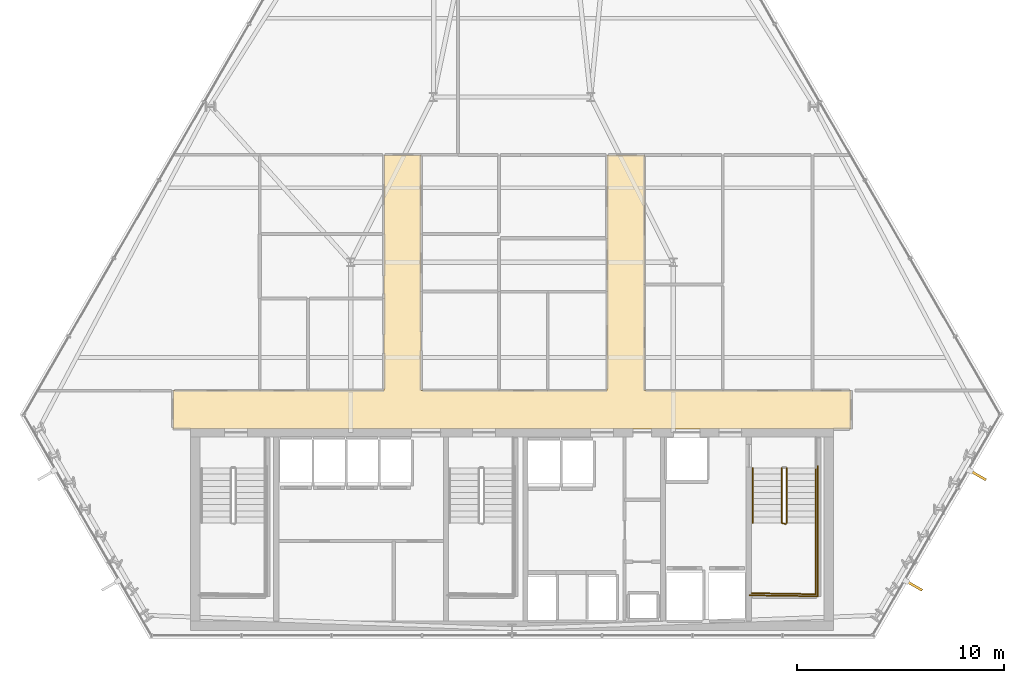
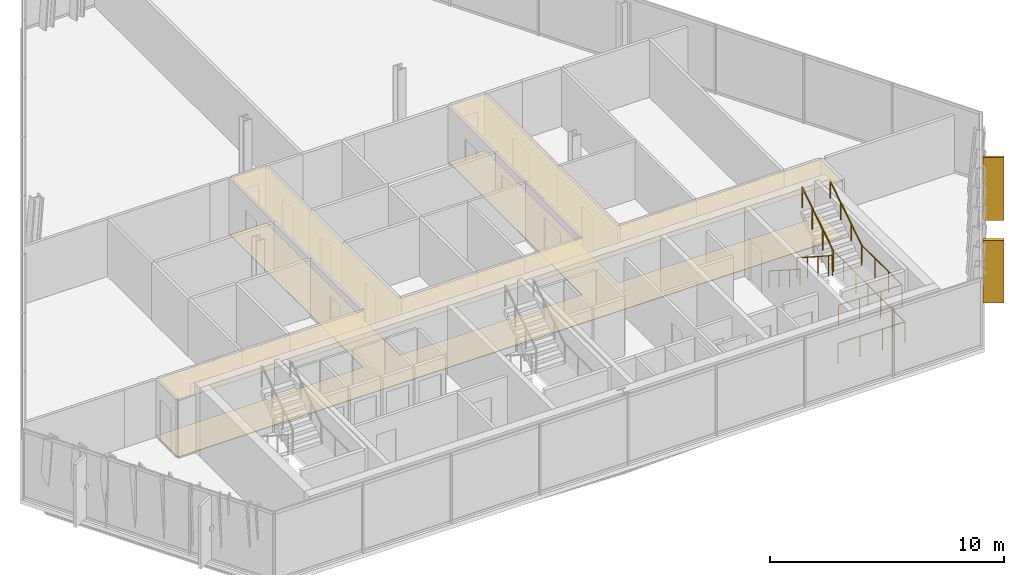
# One storey, part 30 of 32: 6 railings, 2 coverings, 2 shading devices.
"""IFC4 building model written with IfcOpenShell, lengths in metres."""

from ifc_helpers import new_model, si_unit, direction, frame, origin, origin_2d, place, context, subcontext, project, spatial, polyline, rectangle, circle, outline, extrude, material, layer, layer_set, type_object, element, save


model = new_model("IFC4")

# Units and contexts
model_context = context("Model", 3, precision=1e-05, world=origin(), true_north=direction((0.0, 1.0)))
body_context = subcontext(model_context, "Body", "Model", "MODEL_VIEW")
ifc_project = project(units=[si_unit("LENGTHUNIT", "METRE"), si_unit("AREAUNIT", "SQUARE_METRE"), si_unit("VOLUMEUNIT", "CUBIC_METRE"), si_unit("PLANEANGLEUNIT", "RADIAN"), si_unit("MASSUNIT", "GRAM", prefix="KILO")], contexts=[model_context])

# Site, building, storey
site_placement = place(None, origin())
site = spatial("IfcSite", under=ifc_project, at=site_placement, CompositionType="ELEMENT")
building_placement = place(site_placement, origin())
building = spatial("IfcBuilding", under=site, at=building_placement, Name="Ndaravel Arena Tower", CompositionType="ELEMENT")
storey_placement = place(building_placement, frame((0.0, 0.0, 134.60009765625)))
storey = spatial("IfcBuildingStorey", under=building, at=storey_placement, Name="L31", CompositionType="ELEMENT", Elevation=134.60009765625)

# Coverings
ifc_material_1 = material(Name="Acoustic Ceiling Tile", Category="finish")
ifc_layer_1 = layer(ifc_material_1, 0.02490234375)
ifc_layer_set_1 = layer_set([ifc_layer_1], Name="Acoustic Ceiling Tile")
covering_type_1 = type_object("IfcCoveringType", Name="COV-CEIL-AC600", PredefinedType="CEILING", material=ifc_layer_set_1)
covering_1_placement = place(storey_placement, frame((0.0, 0.0, 2.98046875)))
element("IfcCovering", 1, at=covering_1_placement, inside=storey, type_object=covering_type_1, Name="L31 Corridor Acoustic Ceiling", PredefinedType="CEILING", context=body_context, shape_type="SweptSolid", body=[
    extrude(outline(polyline([(58.39990234375, 17.0), (48.39990234375, 17.0), (48.39990234375, 28.39990234375), (46.60009765625, 28.39990234375), (46.60009765625, 17.0), (37.60009765625, 17.0), (37.60009765625, 28.39990234375), (35.800048828125, 28.39990234375), (35.800048828125, 17.0), (25.60009765625, 17.0), (25.60009765625, 15.14990234375), (58.39990234375, 15.14990234375), (58.39990234375, 17.0)])), origin(), (0.0, 0.0, 1.0), 0.02490234375),
])
ifc_material_2 = material(Name="Terrazzo", Category="stone")
ifc_layer_2 = layer(ifc_material_2, 0.030029296875)
ifc_layer_set_2 = layer_set([ifc_layer_2], Name="Terrazzo")
covering_type_2 = type_object("IfcCoveringType", Name="COV-FLOOR-TERRAZZO", PredefinedType="FLOORING", material=ifc_layer_set_2)
covering_2_placement = place(storey_placement, origin())
element("IfcCovering", 2, at=covering_2_placement, inside=storey, type_object=covering_type_2, Name="L31 Corridor Terrazzo Flooring", PredefinedType="FLOORING", context=body_context, shape_type="SweptSolid", body=[
    extrude(outline(polyline([(58.39990234375, 17.0), (48.39990234375, 17.0), (48.39990234375, 28.39990234375), (46.60009765625, 28.39990234375), (46.60009765625, 17.0), (37.60009765625, 17.0), (37.60009765625, 28.39990234375), (35.800048828125, 28.39990234375), (35.800048828125, 17.0), (25.60009765625, 17.0), (25.60009765625, 15.14990234375), (58.39990234375, 15.14990234375), (58.39990234375, 17.0)])), origin(), (0.0, 0.0, 1.0), 0.02978515625),
])

# Railings
ifc_material_3 = material(Name="Steel S355", Category="steel")
ifc_layer_3 = layer(ifc_material_3, 0.06005859375)
ifc_layer_set_3 = layer_set([ifc_layer_3], Name="Steel S355")
railing_type_1 = type_object("IfcRailingType", Name="RAIL-STAIR-GD1100", PredefinedType="GUARDRAIL", material=ifc_layer_set_3)
railing_1_placement = place(storey_placement, frame((55.050048828125, 13.25, 0.18994140625)))
element("IfcRailing", 3, at=railing_1_placement, inside=storey, type_object=railing_type_1, Name="L31 ST-3 stair guard 1", PredefinedType="GUARDRAIL", context=body_context, shape_type="SweptSolid", body=[
    extrude(circle(Radius=0.02392578125, at=origin_2d()), frame((0.0, 0.0, 1.076171875), z_axis=(0.0, -0.840723540582, 0.54146461409), x_axis=(1.0, 0.0, 0.0)), (0.0, 0.0, 1.0), 3.157958984375),
    extrude(circle(Radius=0.02392578125, at=origin_2d()), frame((0.0, -2.655029296875, 2.7861328125), z_axis=(0.966993988697, -0.254799187253, 0.0), x_axis=(0.254799187253, 0.966993988697, 0.0)), (0.0, 0.0, 1.0), 0.196533203125),
    extrude(circle(Radius=0.02099609375, at=origin_2d()), origin(), (0.0, 0.0, 1.0), 1.052001953125),
    extrude(circle(Radius=0.02099609375, at=origin_2d()), frame((0.0, -0.885009765625, 0.570068359375)), (0.0, 0.0, 1.0), 1.052001953125),
    extrude(circle(Radius=0.02099609375, at=origin_2d()), frame((0.0, -1.77001953125, 1.139892578125)), (0.0, 0.0, 1.0), 1.052001953125),
    extrude(circle(Radius=0.02099609375, at=origin_2d()), frame((0.0, -2.655029296875, 1.7099609375)), (0.0, 0.0, 1.0), 1.052001953125),
    extrude(circle(Radius=0.02099609375, at=origin_2d()), frame((0.18994140625, -2.705078125, 1.7099609375)), (0.0, 0.0, 1.0), 1.052001953125),
])
railing_2_placement = place(storey_placement, frame((56.68994140625, 10.594970703125, 1.89990234375)))
element("IfcRailing", 4, at=railing_2_placement, inside=storey, type_object=railing_type_1, Name="L31 ST-3 stair guard 2", PredefinedType="GUARDRAIL", context=body_context, shape_type="SweptSolid", body=[
    extrude(circle(Radius=0.02392578125, at=origin_2d()), frame((0.0, 0.0, 1.076171875), z_axis=(0.0, -1.0, 0.0), x_axis=(1.0, 0.0, 0.0)), (0.0, 0.0, 1.0), 3.445068359375),
    extrude(circle(Radius=0.02392578125, at=origin_2d()), frame((0.0, -3.445068359375, 1.076171875), z_axis=(-0.999868840623, 0.016195726322, 0.0), x_axis=(-0.016195726322, -0.999868840623, 0.0)), (0.0, 0.0, 1.0), 3.09033203125),
    extrude(circle(Radius=0.02099609375, at=origin_2d()), origin(), (0.0, 0.0, 1.0), 1.052001953125),
    extrude(circle(Radius=0.02099609375, at=origin_2d()), frame((0.0, -1.1484375, 0.0)), (0.0, 0.0, 1.0), 1.052001953125),
    extrude(circle(Radius=0.02099609375, at=origin_2d()), frame((0.0, -2.296630859375, 0.0)), (0.0, 0.0, 1.0), 1.052001953125),
    extrude(circle(Radius=0.02099609375, at=origin_2d()), frame((0.0, -3.445068359375, 0.0)), (0.0, 0.0, 1.0), 1.052001953125),
    extrude(circle(Radius=0.02099609375, at=origin_2d()), frame((-1.030029296875, -3.428466796875, 0.0)), (0.0, 0.0, 1.0), 1.052001953125),
    extrude(circle(Radius=0.02099609375, at=origin_2d()), frame((-2.059814453125, -3.41162109375, 0.0)), (0.0, 0.0, 1.0), 1.052001953125),
    extrude(circle(Radius=0.02099609375, at=origin_2d()), frame((-3.08984375, -3.39501953125, 0.0)), (0.0, 0.0, 1.0), 1.052001953125),
])
railing_3_placement = place(storey_placement, frame((55.2900390625, 10.594970703125, 2.08984375)))
element("IfcRailing", 5, at=railing_3_placement, inside=storey, type_object=railing_type_1, Name="L31 ST-3 stair guard 3", PredefinedType="GUARDRAIL", context=body_context, shape_type="SweptSolid", body=[
    extrude(circle(Radius=0.02392578125, at=origin_2d()), frame((0.0, 0.0, 1.076171875), z_axis=(0.0, 0.840723540582, 0.54146461409), x_axis=(-1.0, 0.0, 0.0)), (0.0, 0.0, 1.0), 3.157958984375),
    extrude(circle(Radius=0.02099609375, at=origin_2d()), origin(), (0.0, 0.0, 1.0), 1.052001953125),
    extrude(circle(Radius=0.02099609375, at=origin_2d()), frame((0.0, 0.885009765625, 0.570068359375)), (0.0, 0.0, 1.0), 1.052001953125),
    extrude(circle(Radius=0.02099609375, at=origin_2d()), frame((0.0, 1.77001953125, 1.139892578125)), (0.0, 0.0, 1.0), 1.052001953125),
    extrude(circle(Radius=0.02099609375, at=origin_2d()), frame((0.0, 2.655029296875, 1.7099609375)), (0.0, 0.0, 1.0), 1.052001953125),
])
railing_4_placement = place(storey_placement, frame((56.7900390625, 13.35009765625, 0.0)))
element("IfcRailing", 6, at=railing_4_placement, inside=storey, type_object=railing_type_1, Name="L31 ST-3 stair guard 6", PredefinedType="GUARDRAIL", context=body_context, shape_type="SweptSolid", body=[
    extrude(circle(Radius=0.02392578125, at=origin_2d()), frame((0.0, 0.0, 1.076171875), z_axis=(0.0, -1.0, 0.0), x_axis=(1.0, 0.0, 0.0)), (0.0, 0.0, 1.0), 6.300048828125),
    extrude(circle(Radius=0.02392578125, at=origin_2d()), frame((0.0, -6.300048828125, 1.076171875), z_axis=(-0.99988431412, 0.015210469308, 0.0), x_axis=(-0.015210469308, -0.99988431412, 0.0)), (0.0, 0.0, 1.0), 3.29052734375),
    extrude(circle(Radius=0.02099609375, at=origin_2d()), origin(), (0.0, 0.0, 1.0), 1.052001953125),
    extrude(circle(Radius=0.02099609375, at=origin_2d()), frame((0.0, -1.050048828125, 0.0)), (0.0, 0.0, 1.0), 1.052001953125),
    extrude(circle(Radius=0.02099609375, at=origin_2d()), frame((0.0, -2.10009765625, 0.0)), (0.0, 0.0, 1.0), 1.052001953125),
    extrude(circle(Radius=0.02099609375, at=origin_2d()), frame((0.0, -3.14990234375, 0.0)), (0.0, 0.0, 1.0), 1.052001953125),
    extrude(circle(Radius=0.02099609375, at=origin_2d()), frame((0.0, -4.199951171875, 0.0)), (0.0, 0.0, 1.0), 1.052001953125),
    extrude(circle(Radius=0.02099609375, at=origin_2d()), frame((0.0, -5.25, 0.0)), (0.0, 0.0, 1.0), 1.052001953125),
    extrude(circle(Radius=0.02099609375, at=origin_2d()), frame((0.0, -6.300048828125, 0.0)), (0.0, 0.0, 1.0), 1.052001953125),
    extrude(circle(Radius=0.02099609375, at=origin_2d()), frame((-1.0966796875, -6.283447265625, 0.0)), (0.0, 0.0, 1.0), 1.052001953125),
    extrude(circle(Radius=0.02099609375, at=origin_2d()), frame((-2.193359375, -6.2666015625, 0.0)), (0.0, 0.0, 1.0), 1.052001953125),
    extrude(circle(Radius=0.02099609375, at=origin_2d()), frame((-3.2900390625, -6.25, 0.0)), (0.0, 0.0, 1.0), 1.052001953125),
])
ifc_material_4 = material(Name="Steel S355", Category="steel")
ifc_layer_4 = layer(ifc_material_4, 0.050048828125)
ifc_layer_set_4 = layer_set([ifc_layer_4], Name="Steel S355")
railing_type_2 = type_object("IfcRailingType", Name="RAIL-STAIR-HR920", PredefinedType="HANDRAIL", material=ifc_layer_set_4)
railing_5_placement = place(storey_placement, frame((53.64990234375, 13.25, 0.18994140625)))
element("IfcRailing", 7, at=railing_5_placement, inside=storey, type_object=railing_type_2, Name="L31 ST-3 stair handrail 1", PredefinedType="HANDRAIL", context=body_context, shape_type="SweptSolid", body=[
    extrude(circle(Radius=0.02392578125, at=origin_2d()), frame((0.0, 0.0, 0.8759765625), z_axis=(0.0, -0.840723540582, 0.54146461409), x_axis=(1.0, 0.0, 0.0)), (0.0, 0.0, 1.0), 3.157958984375),
    extrude(circle(Radius=0.02099609375, at=origin_2d()), origin(), (0.0, 0.0, 1.0), 0.851806640625),
    extrude(circle(Radius=0.02099609375, at=origin_2d()), frame((0.0, -0.885009765625, 0.570068359375)), (0.0, 0.0, 1.0), 0.851806640625),
    extrude(circle(Radius=0.02099609375, at=origin_2d()), frame((0.0, -1.77001953125, 1.139892578125)), (0.0, 0.0, 1.0), 0.851806640625),
    extrude(circle(Radius=0.02099609375, at=origin_2d()), frame((0.0, -2.655029296875, 1.7099609375)), (0.0, 0.0, 1.0), 0.851806640625),
])
railing_6_placement = place(storey_placement, frame((56.68994140625, 10.594970703125, 2.08984375)))
element("IfcRailing", 8, at=railing_6_placement, inside=storey, type_object=railing_type_2, Name="L31 ST-3 stair handrail 2", PredefinedType="HANDRAIL", context=body_context, shape_type="SweptSolid", body=[
    extrude(circle(Radius=0.02392578125, at=origin_2d()), frame((0.0, 0.0, 0.8759765625), z_axis=(0.0, 0.840723540582, 0.54146461409), x_axis=(-1.0, 0.0, 0.0)), (0.0, 0.0, 1.0), 3.157958984375),
    extrude(circle(Radius=0.02099609375, at=origin_2d()), origin(), (0.0, 0.0, 1.0), 0.851806640625),
    extrude(circle(Radius=0.02099609375, at=origin_2d()), frame((0.0, 0.885009765625, 0.570068359375)), (0.0, 0.0, 1.0), 0.851806640625),
    extrude(circle(Radius=0.02099609375, at=origin_2d()), frame((0.0, 1.77001953125, 1.139892578125)), (0.0, 0.0, 1.0), 0.851806640625),
    extrude(circle(Radius=0.02099609375, at=origin_2d()), frame((0.0, 2.655029296875, 1.7099609375)), (0.0, 0.0, 1.0), 0.851806640625),
])

# Shading devices
ifc_material_5 = material(Name="Masonry", Category="masonry")
shading_device_type = type_object("IfcShadingDeviceType", Name="SHD-MAZERAS-FIN", PredefinedType="SHUTTER", material=ifc_material_5)
for number, where, z_axis, x_axis, name in (
    (9, (61.44873046875, 7.563232421875, 0.14990234375), (0.0, 0.0, 1.0), (0.866025403784, -0.5, 0.0), "L31 Mazeras Stone Solar Fin E2.1"),
    (10, (64.531982421875, 12.90380859375, 0.14990234375), (0.0, 0.0, 1.0), (0.866025403784, -0.5, 0.0), "L31 Mazeras Stone Solar Fin E2.2"),
):
    element("IfcShadingDevice", number, at=place(storey_placement, frame(where, z_axis=z_axis, x_axis=x_axis)), inside=storey, type_object=shading_device_type, Name=name, PredefinedType="SHUTTER", context=body_context, shape_type="SweptSolid", body=[
        extrude(rectangle(XDim=0.89990234375, YDim=0.1201171875, at=origin_2d()), origin(), (0.0, 0.0, 1.0), 3.280029296875),
    ])

save(model, "model.ifc")
